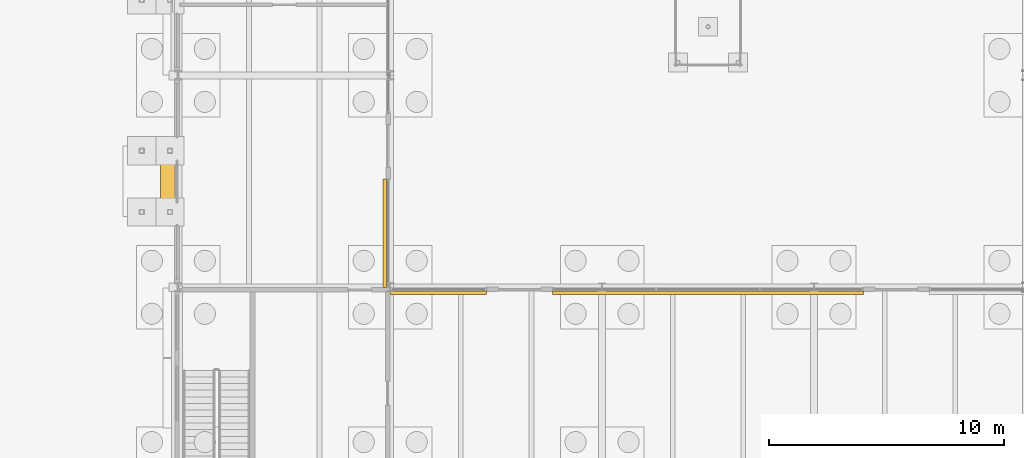
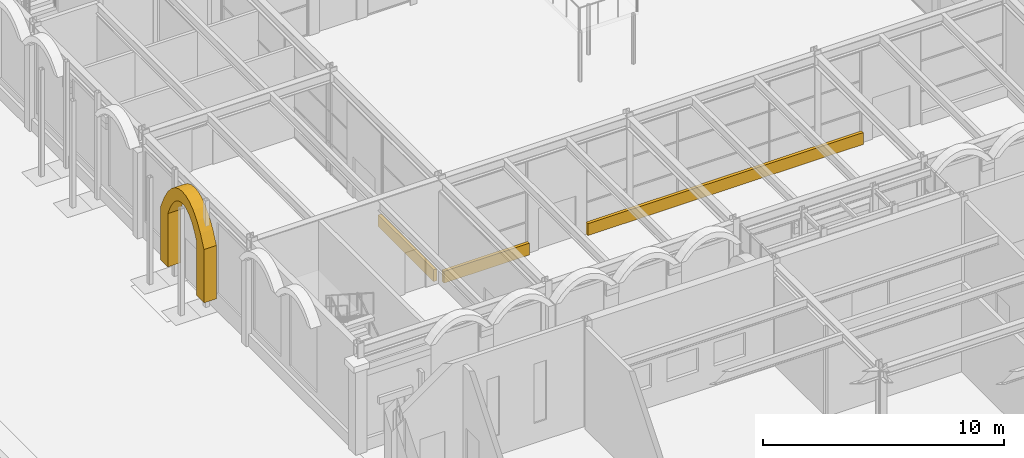
# One storey, part 105 of 126: 4 coverings.
"""IFC4 building model written with IfcOpenShell, lengths in metres."""

from ifc_helpers import new_model, si_unit, direction, frame, origin, origin_2d, place, context, subcontext, project, spatial, polyline, rectangle, outline, extrude, material, layer, layer_set, type_object, element, save


model = new_model("IFC4")

# Units and contexts
model_context = context("Model", 3, precision=1e-05, world=origin(), true_north=direction((0.0, 1.0)))
body_context = subcontext(model_context, "Body", "Model", "MODEL_VIEW")
ifc_project = project(units=[si_unit("LENGTHUNIT", "METRE"), si_unit("AREAUNIT", "SQUARE_METRE"), si_unit("VOLUMEUNIT", "CUBIC_METRE"), si_unit("PLANEANGLEUNIT", "RADIAN"), si_unit("MASSUNIT", "GRAM", prefix="KILO")], contexts=[model_context])

# Site, building, storey
site_placement = place(None, origin())
site = spatial("IfcSite", under=ifc_project, at=site_placement, CompositionType="ELEMENT")
building_placement = place(site_placement, origin())
building = spatial("IfcBuilding", under=site, at=building_placement, Name="Kallimachos Central Library", CompositionType="ELEMENT")
storey_placement = place(building_placement, origin())
storey = spatial("IfcBuildingStorey", under=building, at=storey_placement, Name="L00", CompositionType="ELEMENT", Elevation=0.0)

# Coverings
ifc_material_1 = material(Name="Pentelic marble portal arch", Category="masonry")
ifc_layer_1 = layer(ifc_material_1, 0.60009765625)
ifc_layer_set_1 = layer_set([ifc_layer_1], Name="Stone entrance portal 600")
covering_type_1 = type_object("IfcCoveringType", Name="Stone entrance portal 600", PredefinedType="MOLDING", material=ifc_layer_set_1)
covering_1_placement = place(storey_placement, frame((64.74560546875, 59.699951171875, 3.300048828125), z_axis=(-1.0, 0.0, 0.0), x_axis=(0.0, 0.42020699191, 0.907428280334)))
element("IfcCovering", 1, at=covering_1_placement, inside=storey, type_object=covering_type_1, Name="Entrance portal 1", PredefinedType="MOLDING", context=body_context, shape_type="SweptSolid", body=[
    extrude(outline(polyline([(0.0, 0.0), (0.7140500608066084, 0.0), (1.2703635650708145, 0.07304379351567908), (1.7010638283806077, 0.20425588889005208), (2.0297530526412144, 0.38243765906873683), (2.2714796042506293, 0.6011586812252366), (2.435002497911354, 0.8560938313466728), (2.5236448352359373, 1.1457042654685297), (2.5340835146118303, 1.471528827555323), (2.4573543421412625, 1.8374495614049247), (2.2788193098167775, 2.250783050273845), (1.9746710365378792, 2.722284841001459), (1.512786206716579, 3.266830425244752), (-0.9372258421632333, 4.401368785483369), (-1.1893910731485413, 3.8568232012400756), (1.260620975731271, 2.722284841001459), (1.5749292085597792, 2.356387396409579), (1.7813474090341448, 2.0404510858656426), (1.9031372884422213, 1.7637040016180396), (1.9554825246041072, 1.5188459213224943), (1.9494437619827372, 1.301293034909929), (1.890678453775564, 1.1081564727343465), (1.7814020010576215, 0.9384103388194026), (1.6193990027538758, 0.7930805291414413), (1.3988068264716054, 0.6746128331314533), (1.1089751861384132, 0.5884772212885299), (0.7345152247389322, 0.5415308357419397), (0.25216523098530796, 0.5445455842432931), (-2.1978468178945043, 1.6790839444819101), (-2.4500120488798123, 1.134538360238617), (0.0, 0.0)])), origin(), (0.0, 0.0, -1.0), 0.60009765625),
])
ifc_material_2 = material(Name="Pentelic marble plinth course", Category="masonry")
ifc_layer_2 = layer(ifc_material_2, 0.14990234375)
ifc_layer_set_2 = layer_set([ifc_layer_2], Name="Stone plinth course 600")
covering_type_2 = type_object("IfcCoveringType", Name="Stone plinth course 600", PredefinedType="CLADDING", material=ifc_layer_set_2)
covering_2_placement = place(storey_placement, frame((76.550048828125, 56.764892578125, 0.0), z_axis=(0.0, 0.0, 1.0), x_axis=(1.0, 0.0, 0.0)))
element("IfcCovering", 2, at=covering_2_placement, inside=storey, type_object=covering_type_2, Name="Stone plinth course 600 cw", PredefinedType="CLADDING", context=body_context, shape_type="SweptSolid", body=[
    extrude(rectangle(XDim=4.10009765625, YDim=0.14990234375, at=origin_2d()), origin(), (0.0, 0.0, 1.0), 0.60009765625),
])
covering_3_placement = place(storey_placement, frame((88.0, 56.764892578125, 0.0), z_axis=(0.0, 0.0, 1.0), x_axis=(1.0, 0.0, 0.0)))
element("IfcCovering", 3, at=covering_3_placement, inside=storey, type_object=covering_type_2, Name="Stone plinth course 600 cw", PredefinedType="CLADDING", context=body_context, shape_type="SweptSolid", body=[
    extrude(rectangle(XDim=13.199951171875, YDim=0.14990234375, at=origin_2d()), origin(), (0.0, 0.0, 1.0), 0.60009765625),
])
covering_4_placement = place(storey_placement, frame((74.264892578125, 59.300048828125, 0.0), z_axis=(0.0, 0.0, 1.0), x_axis=(1.0, 0.0, 0.0)))
element("IfcCovering", 4, at=covering_4_placement, inside=storey, type_object=covering_type_2, Name="Stone plinth course 600 cw", PredefinedType="CLADDING", context=body_context, shape_type="SweptSolid", body=[
    extrude(rectangle(XDim=0.14990234375, YDim=4.60009765625, at=origin_2d()), origin(), (0.0, 0.0, 1.0), 0.60009765625),
])

save(model, "model.ifc")
